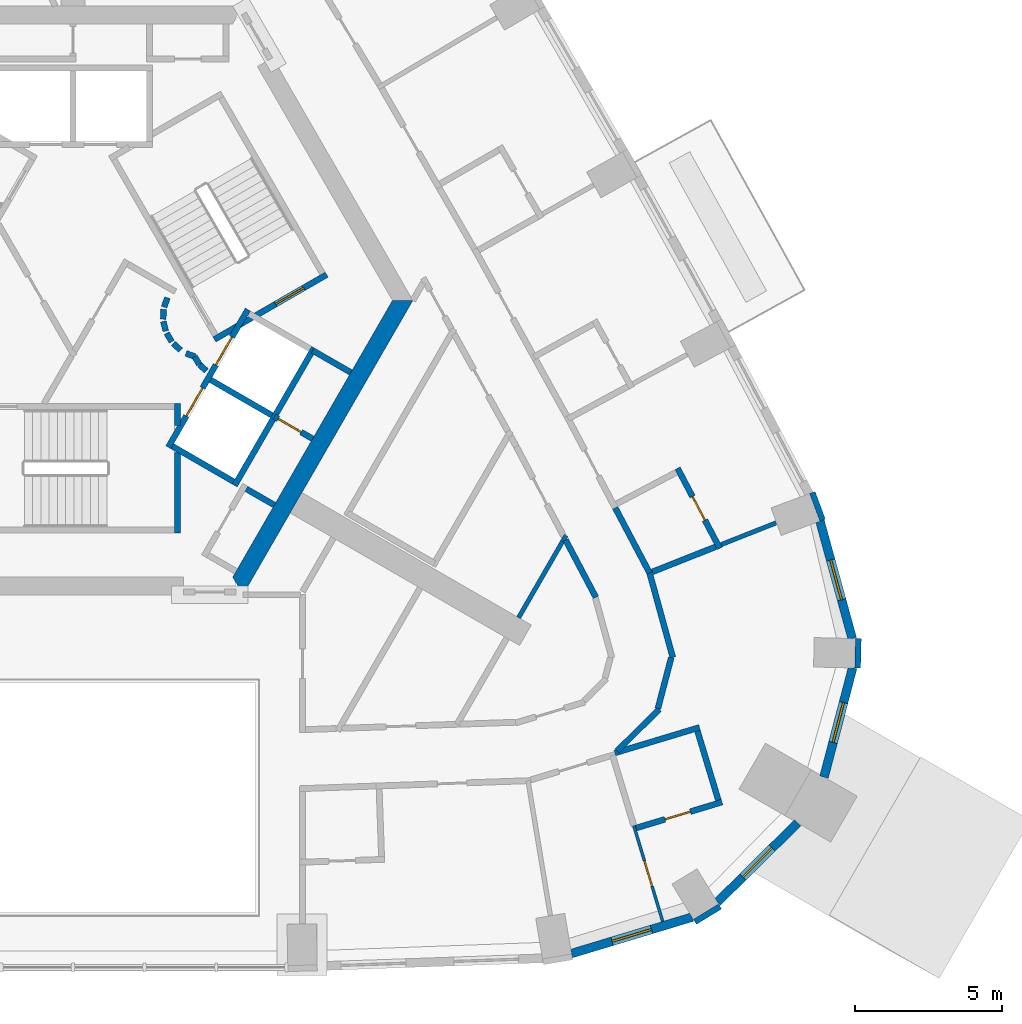
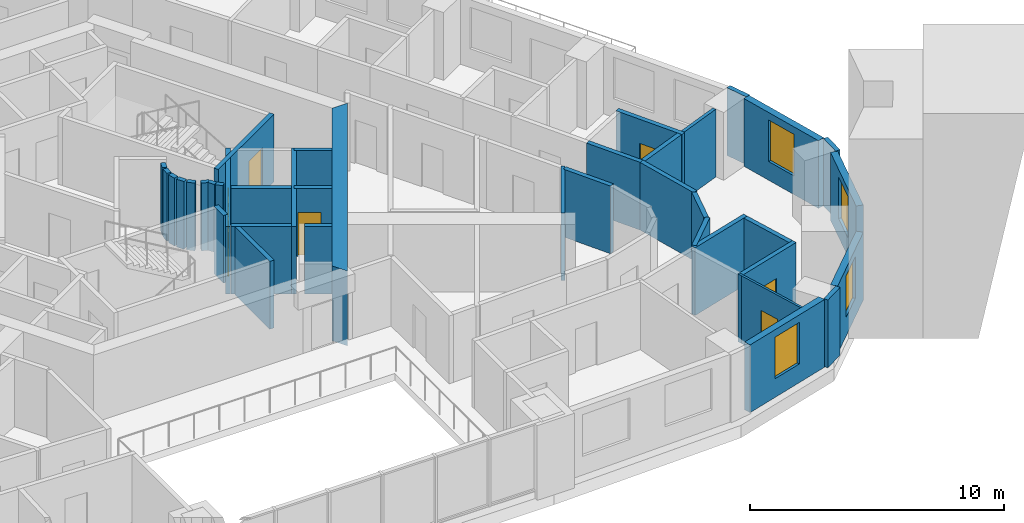
# One storey, part 7 of 14: 39 walls, 7 doors, 4 windows, 11 openings.
"""IFC4 building model written with IfcOpenShell, lengths in metres."""

import ifcopenshell
import ifcopenshell.guid

model = None  # the IFC model being written
_history = None  # IfcOwnerHistory: only IFC2X3 demands one
_inside = {}  # id of a spatial element -> (the spatial element, [elements in it])
_under = {}  # id of a project, library or spatial element -> (it, [spatial elements below it])
_declared = {}  # id of a project -> (the project, [libraries it declares])
_typed = {}  # id of a type object -> (the type object, [elements of that type])
_made_of = {}  # id of a material, layer set ... -> (it, [elements and type objects made of it])


def new_model(schema):
    """Start an empty IFC model of exactly this schema.

    Asked for "IFC4X3", IfcOpenShell would pick the latest addendum, in which some entities
    have other attributes; the version numbers below select the first issue.
    IFC2X3 requires an IfcOwnerHistory on every rooted entity: one is made here for all.
    """
    global model, _history
    if schema == "IFC4X3":
        model = ifcopenshell.file(schema_version=(4, 3, 0, 0))
    else:
        model = ifcopenshell.file(schema=schema)
    _inside.clear()
    _under.clear()
    _declared.clear()
    _typed.clear()
    _made_of.clear()
    _history = None
    if model.schema == "IFC2X3":
        org = make("IfcOrganization", Name="unknown")
        user = make(
            "IfcPersonAndOrganization",
            ThePerson=make("IfcPerson", FamilyName="unknown"),
            TheOrganization=org,
        )
        app = make(
            "IfcApplication",
            ApplicationDeveloper=org,
            Version="unknown",
            ApplicationFullName="unknown",
            ApplicationIdentifier="unknown",
        )
        _history = make(
            "IfcOwnerHistory",
            OwningUser=user,
            OwningApplication=app,
            ChangeAction="ADDED",
            CreationDate=0,
        )
    return model


def make(cls, **values):
    """One entity of the class cls with the attributes given. An attribute that is None is left unset."""
    return model.create_entity(
        cls, **{name: value for name, value in values.items() if value is not None}
    )


def rooted(cls, **values):
    """An entity with a GlobalId (a new one), such as an element, a storey or a relation."""
    return make(cls, GlobalId=ifcopenshell.guid.new(), OwnerHistory=_history, **values)


def si_unit(unit_type, name, prefix=None):
    """IfcSIUnit, for example si_unit("LENGTHUNIT", "METRE", prefix="MILLI")."""
    return make("IfcSIUnit", UnitType=unit_type, Prefix=prefix, Name=name)


def assignment(units):
    """IfcUnitAssignment: the units of a project."""
    return None if units is None else make("IfcUnitAssignment", Units=units)


def point(xyz):
    """IfcCartesianPoint."""
    return None if xyz is None else make("IfcCartesianPoint", Coordinates=xyz)


def direction(xyz):
    """IfcDirection."""
    return None if xyz is None else make("IfcDirection", DirectionRatios=xyz)


def frame(location, z_axis=None, x_axis=None):
    """IfcAxis2Placement3D, a coordinate frame: its origin and axes. An axis left out is left unset."""
    return make(
        "IfcAxis2Placement3D",
        Location=point(location),
        Axis=direction(z_axis),
        RefDirection=direction(x_axis),
    )


def frame_2d(location, x_axis=None):
    """IfcAxis2Placement2D, a coordinate frame in the plane: its origin and x axis."""
    return make(
        "IfcAxis2Placement2D", Location=point(location), RefDirection=direction(x_axis)
    )


def origin():
    """The frame at (0, 0, 0) with its axes left unset."""
    return frame((0.0, 0.0, 0.0))


def place(relative_to, where):
    """IfcLocalPlacement: puts the frame where relative to a parent placement (None: the world)."""
    return make(
        "IfcLocalPlacement", PlacementRelTo=relative_to, RelativePlacement=where
    )


def context(
    kind, dimensions, precision=None, world=None, true_north=None, identifier=None
):
    """IfcGeometricRepresentationContext, for example the 3D "Model" context."""
    return make(
        "IfcGeometricRepresentationContext",
        ContextIdentifier=identifier,
        ContextType=kind,
        CoordinateSpaceDimension=dimensions,
        Precision=precision,
        WorldCoordinateSystem=world,
        TrueNorth=true_north,
    )


def subcontext(parent, identifier, kind, view, scale=None):
    """IfcGeometricRepresentationSubContext, for example "Body" below "Model"."""
    return make(
        "IfcGeometricRepresentationSubContext",
        ContextIdentifier=identifier,
        ContextType=kind,
        ParentContext=parent,
        TargetScale=scale,
        TargetView=view,
    )


def project(units=None, contexts=None):
    """IfcProject with its units and contexts."""
    return rooted(
        "IfcProject",
        Name="project",
        RepresentationContexts=contexts,
        UnitsInContext=assignment(units),
    )


def spatial(cls, under=None, at=None, **own):
    """A site, building, storey or space (cls), placed at a placement, below another one or the project."""
    s = rooted(cls, ObjectPlacement=at, **own)
    if under is not None:
        _under.setdefault(under.id(), (under, []))[1].append(s)
    return s


def polyline(points):
    """IfcPolyline through the points."""
    return make("IfcPolyline", Points=[point(p) for p in points])


def profile(cls, at=None, kind="AREA", **sizes):
    """A parametric profile (cls). Its sizes go by their IFC names, for example OverallWidth=200.0."""
    return make(cls, ProfileType=kind, Position=at, **sizes)


def rectangle(**sizes):
    """IfcRectangleProfileDef."""
    return profile("IfcRectangleProfileDef", **sizes)


def outline(outer, holes=None, kind="AREA"):
    """IfcArbitraryClosedProfileDef: a profile drawn as a closed curve; with holes, ...WithVoids."""
    if holes is None:
        return make("IfcArbitraryClosedProfileDef", ProfileType=kind, OuterCurve=outer)
    return make(
        "IfcArbitraryProfileDefWithVoids",
        ProfileType=kind,
        OuterCurve=outer,
        InnerCurves=holes,
    )


def extrude(swept, where, along, depth):
    """IfcExtrudedAreaSolid: the profile swept, set in the frame where, extruded along a direction by depth."""
    return make(
        "IfcExtrudedAreaSolid",
        SweptArea=swept,
        Position=where,
        ExtrudedDirection=direction(along),
        Depth=depth,
    )


def shape(context_of_items, identifier, shape_type, items):
    """IfcShapeRepresentation: the items that make up one representation, for example the "Body"."""
    return make(
        "IfcShapeRepresentation",
        ContextOfItems=context_of_items,
        RepresentationIdentifier=identifier,
        RepresentationType=shape_type,
        Items=items,
    )


def material(Name=None, Category=None):
    """IfcMaterial."""
    return make("IfcMaterial", Name=Name, Category=Category)


def layer(
    of_material, thickness, ventilated=None, Name=None, Category=None, Priority=None
):
    """IfcMaterialLayer: one layer of a wall or slab, of a material (None: an air gap)."""
    return make(
        "IfcMaterialLayer",
        Material=of_material,
        LayerThickness=thickness,
        IsVentilated=ventilated,
        Name=Name,
        Category=Category,
        Priority=Priority,
    )


def layer_set(layers, Name=None):
    """IfcMaterialLayerSet."""
    return make("IfcMaterialLayerSet", MaterialLayers=layers, LayerSetName=Name)


def made_of(thing, what):
    """Note that an element or type object is made of a material, layer set ...; save() writes the relation."""
    if what is not None:
        _made_of.setdefault(what.id(), (what, []))[1].append(thing)
    return thing


def type_object(cls, material=None, **own):
    """A type object (cls), such as IfcWallType, which elements share."""
    return made_of(rooted(cls, **own), material)


def element(
    cls,
    number,
    at=None,
    inside=None,
    cuts=None,
    type_object=None,
    material=None,
    context=None,
    identifier="Body",
    shape_type=None,
    held_by="IfcProductDefinitionShape",
    body=None,
    shapes=None,
    **own,
):
    """One element of the class cls, such as IfcWall. Its Tag is "e" and its number.

    at: its placement. inside: the storey or other place that contains it. cuts: it is an
    opening in that element (IfcRelVoidsElement). A single representation is given by context,
    identifier, shape_type and body (its items); several are given by shapes. held_by: the class
    of the entity that holds the representations. save() writes the other relations.
    """
    e = rooted(cls, Tag="e%d" % number, ObjectPlacement=at, **own)
    if body is not None:
        shapes = [shape(context, identifier, shape_type, body)]
    if shapes is not None:
        e.Representation = make(held_by, Representations=shapes)
    if inside is not None:
        _inside.setdefault(inside.id(), (inside, []))[1].append(e)
    if cuts is not None:
        rooted(
            "IfcRelVoidsElement", RelatingBuildingElement=cuts, RelatedOpeningElement=e
        )
    if type_object is not None:
        _typed.setdefault(type_object.id(), (type_object, []))[1].append(e)
    return made_of(e, material)


def fill(opening, filler):
    """IfcRelFillsElement: the door or window that sits in an opening."""
    return rooted(
        "IfcRelFillsElement",
        RelatingOpeningElement=opening,
        RelatedBuildingElement=filler,
    )


def aggregate(whole, parts):
    """IfcRelAggregates: a whole, such as a stair, and the parts it consists of."""
    return rooted("IfcRelAggregates", RelatingObject=whole, RelatedObjects=parts)


def save(model, path):
    """Write the relations noted so far, then the file.

    IfcRelAggregates (storeys below a building ...), IfcRelContainedInSpatialStructure (elements
    in a storey), IfcRelDefinesByType, IfcRelAssociatesMaterial and IfcRelDeclares: one each for
    every whole, place, type object, material and project.
    """
    for whole, parts in _under.values():
        aggregate(whole, parts)
    for where, things in _inside.values():
        rooted(
            "IfcRelContainedInSpatialStructure",
            RelatedElements=things,
            RelatingStructure=where,
        )
    for kind, things in _typed.values():
        rooted("IfcRelDefinesByType", RelatedObjects=things, RelatingType=kind)
    for what, things in _made_of.values():
        rooted("IfcRelAssociatesMaterial", RelatedObjects=things, RelatingMaterial=what)
    for by, libraries in _declared.values():
        rooted("IfcRelDeclares", RelatingContext=by, RelatedDefinitions=libraries)
    model.write(path)


model = new_model("IFC4")

# Units and contexts
model_context = context("Model", 3, precision=1e-05, world=origin(), true_north=direction((0.0, 1.0)))
body_context = subcontext(model_context, "Body", "Model", "MODEL_VIEW")
ifc_project = project(units=[si_unit("LENGTHUNIT", "METRE"), si_unit("AREAUNIT", "SQUARE_METRE"), si_unit("VOLUMEUNIT", "CUBIC_METRE"), si_unit("PLANEANGLEUNIT", "RADIAN"), si_unit("MASSUNIT", "GRAM", prefix="KILO")], contexts=[model_context])

# Site, building, storey
site_placement = place(None, origin())
site = spatial("IfcSite", under=ifc_project, at=site_placement, CompositionType="ELEMENT")
building_placement = place(site_placement, origin())
building = spatial("IfcBuilding", under=site, at=building_placement, Name="Entoto Arch Interchange Tower", CompositionType="ELEMENT")
storey_placement = place(building_placement, frame((0.0, 0.0, 252.199951171875)))
storey = spatial("IfcBuildingStorey", under=building, at=storey_placement, Name="L57", CompositionType="ELEMENT", Elevation=252.199951171875)

# Wall
ifc_material_1 = material(Name="Concrete C40/50", Category="concrete")
ifc_layer_1 = layer(ifc_material_1, 0.60009765625)
ifc_layer_set_1 = layer_set([ifc_layer_1], Name="Concrete C40/50")
wall_type_1 = type_object("IfcWallType", Name="Core wall 600 C40/50", PredefinedType="SHEAR", material=ifc_layer_set_1)
wall_1_placement = place(storey_placement, frame((0.0, 0.0, -0.33984375)))
element("IfcWall", 1, at=wall_1_placement, inside=storey, type_object=wall_type_1, Name="Core wall SE L57", PredefinedType="SHEAR", context=body_context, shape_type="SweptSolid", body=[
    extrude(outline(polyline([(5.77392578125, -7.5), (11.547119140625, 2.5), (10.85400390625, 2.5), (5.427001953125, -6.89990234375), (5.77392578125, -7.5)])), origin(), (0.0, 0.0, 1.0), 3.599853515625),
])

# Wall, openings, doors
ifc_layer_2 = layer(ifc_material_1, 0.199951171875)
ifc_layer_set_2 = layer_set([ifc_layer_2], Name="Concrete C40/50")
wall_type_2 = type_object("IfcWallType", Name="LIFT SHAFT WALL 200", PredefinedType="STANDARD", material=ifc_layer_set_2)
wall_2_placement = place(storey_placement, frame((3.239990234375, -2.488037109375, 0.0), z_axis=(0.0, 0.0, 1.0), x_axis=(0.500034260056, 0.866005622828, 0.0)))
wall_2 = element("IfcWall", 2, at=wall_2_placement, inside=storey, type_object=wall_type_2, Name="Shaft wall SE1 front", PredefinedType="STANDARD", context=body_context, shape_type="SweptSolid", body=[
    extrude(rectangle(XDim=5.3994140625, YDim=0.199951171875, at=frame_2d((2.69970703125, 0.0))), origin(), (0.0, 0.0, 1.0), 3.260009765625),
])
opening_1_placement = place(wall_2_placement, frame((3.22509765625, 0.0, 0.0)))
opening_1 = element("IfcOpeningElement", 3, at=opening_1_placement, cuts=wall_2, Name="Opening LD-HR3-L57", PredefinedType="OPENING", context=body_context, shape_type="SweptSolid", body=[
    extrude(rectangle(XDim=1.10009765625, YDim=2.10009765625, at=frame_2d((0.550048828125, 1.050048828125))), frame((0.0, 0.10986328125, 0.0), z_axis=(0.0, -1.0, 0.0), x_axis=(1.0, 0.0, 0.0)), (0.0, 0.0, 1.0), 0.219970703125),
])
opening_2_placement = place(wall_2_placement, frame((1.22509765625, 0.0, 0.0)))
opening_2 = element("IfcOpeningElement", 4, at=opening_2_placement, cuts=wall_2, Name="Opening LD-FF1-L57", PredefinedType="OPENING", context=body_context, shape_type="SweptSolid", body=[
    extrude(rectangle(XDim=1.10009765625, YDim=2.10009765625, at=frame_2d((0.550048828125, 1.050048828125))), frame((0.0, 0.10986328125, 0.0), z_axis=(0.0, -1.0, 0.0), x_axis=(1.0, 0.0, 0.0)), (0.0, 0.0, 1.0), 0.219970703125),
])
ifc_material_2 = material(Name="Stainless steel 1.4301 panels", Category="steel")
door_type_1 = type_object("IfcDoorType", Name="LIFT LANDING DOOR LD1 1100x2100", OperationType="SLIDING_TO_LEFT", PredefinedType="DOOR", material=ifc_material_2)
door_1_placement = place(opening_1_placement, origin())
door_1 = element("IfcDoor", 5, at=door_1_placement, inside=storey, type_object=door_type_1, Name="Lift landing door HR3 L57", OperationType="SLIDING_TO_LEFT", OverallHeight=2.10009765625, OverallWidth=1.10009765625, PredefinedType="DOOR", context=body_context, shape_type="SweptSolid", body=[
    extrude(rectangle(XDim=1.10009765625, YDim=2.10009765625, at=frame_2d((0.550048828125, 1.050048828125))), frame((0.0, 0.02490234375, 0.0), z_axis=(0.0, -1.0, 0.0), x_axis=(1.0, 0.0, 0.0)), (0.0, 0.0, 1.0), 0.050048828125),
])
fill(opening_1, door_1)
door_2_placement = place(opening_2_placement, origin())
door_2 = element("IfcDoor", 6, at=door_2_placement, inside=storey, type_object=door_type_1, Name="Lift landing door FF1 L57", OperationType="SLIDING_TO_LEFT", OverallHeight=2.10009765625, OverallWidth=1.10009765625, PredefinedType="DOOR", context=body_context, shape_type="SweptSolid", body=[
    extrude(rectangle(XDim=1.10009765625, YDim=2.10009765625, at=frame_2d((0.550048828125, 1.050048828125))), frame((0.0, 0.02490234375, 0.0), z_axis=(0.0, -1.0, 0.0), x_axis=(1.0, 0.0, 0.0)), (0.0, 0.0, 1.0), 0.050048828125),
])
fill(opening_2, door_2)

# Walls
wall_3_placement = place(storey_placement, frame((5.491943359375, -3.7880859375, 0.0), z_axis=(0.0, 0.0, 1.0), x_axis=(0.500034260056, 0.866005622828, 0.0)))
element("IfcWall", 7, at=wall_3_placement, inside=storey, type_object=wall_type_2, Name="Shaft wall SE1 back", PredefinedType="STANDARD", context=body_context, shape_type="SweptSolid", body=[
    extrude(rectangle(XDim=5.3994140625, YDim=0.199951171875, at=frame_2d((2.69970703125, 0.0))), origin(), (0.0, 0.0, 1.0), 3.260009765625),
])
wall_4_placement = place(storey_placement, frame((3.376953125, -2.451904296875, 0.0), z_axis=(0.0, 0.0, 1.0), x_axis=(0.865955154139, -0.50012165622, 0.0)))
element("IfcWall", 8, at=wall_4_placement, inside=storey, type_object=wall_type_2, Name="Shaft wall SE1 cross 1", PredefinedType="STANDARD", context=body_context, shape_type="SweptSolid", body=[
    extrude(rectangle(XDim=2.39990234375, YDim=0.199951171875, at=frame_2d((1.199951171875, 0.0))), origin(), (0.0, 0.0, 1.0), 3.260009765625),
])
wall_5_placement = place(storey_placement, frame((4.677001953125, -0.199951171875, 0.0), z_axis=(0.0, 0.0, 1.0), x_axis=(0.865973769406, -0.500089422704, 0.0)))
element("IfcWall", 9, at=wall_5_placement, inside=storey, type_object=wall_type_2, Name="Shaft wall SE1 cross 2", PredefinedType="STANDARD", context=body_context, shape_type="SweptSolid", body=[
    extrude(rectangle(XDim=2.3994140625, YDim=0.199951171875, at=frame_2d((1.19970703125, 0.0))), origin(), (0.0, 0.0, 1.0), 3.260009765625),
])

# Wall, opening, door
ifc_material_3 = material(Name="Gypsum board partition on steel studs", Category="steel")
ifc_layer_3 = layer(ifc_material_3, 0.10009765625)
ifc_layer_set_3 = layer_set([ifc_layer_3], Name="Gypsum board partition on steel studs")
wall_type_3 = type_object("IfcWallType", Name="PARTITION 100", PredefinedType="PARTITIONING", material=ifc_layer_set_3)
wall_6_placement = place(storey_placement, frame((19.053955078125, -15.343994140625, 0.0), z_axis=(0.0, 0.0, 1.0), x_axis=(0.288803435252, -0.957388414274, 0.0)))
wall_6 = element("IfcWall", 10, at=wall_6_placement, inside=storey, type_object=wall_type_3, Name="wall:L57:p125", PredefinedType="PARTITIONING", context=body_context, shape_type="SweptSolid", body=[
    extrude(rectangle(XDim=3.39990234375, YDim=0.10009765625, at=frame_2d((1.699951171875, 0.0))), origin(), (0.0, 0.0, 1.0), 3.260009765625),
])
opening_3_placement = place(wall_6_placement, frame((1.25, 0.0, 0.0)))
opening_3 = element("IfcOpeningElement", 11, at=opening_3_placement, cuts=wall_6, Name="Opening L57-D04", PredefinedType="OPENING", context=body_context, shape_type="SweptSolid", body=[
    extrude(rectangle(XDim=0.89990234375, YDim=2.10009765625, at=frame_2d((0.449951171875, 1.050048828125))), frame((0.0, 0.06005859375, 0.0), z_axis=(0.0, -1.0, 0.0), x_axis=(1.0, 0.0, 0.0)), (0.0, 0.0, 1.0), 0.1201171875),
])
ifc_material_4 = material(Name="Timber door leaf in Steel S235 frame", Category="steel")
door_type_2 = type_object("IfcDoorType", Name="DOOR DS-09 900x2100", OperationType="SINGLE_SWING_LEFT", PredefinedType="DOOR", material=ifc_material_4)
door_3_placement = place(opening_3_placement, origin())
door_3 = element("IfcDoor", 12, at=door_3_placement, inside=storey, type_object=door_type_2, Name="door:L57:04", OperationType="SINGLE_SWING_RIGHT", OverallHeight=2.10009765625, OverallWidth=0.89990234375, PredefinedType="DOOR", context=body_context, shape_type="SweptSolid", body=[
    extrude(rectangle(XDim=0.89990234375, YDim=2.10009765625, at=frame_2d((0.449951171875, 1.050048828125))), frame((0.0, 0.02490234375, 0.0), z_axis=(0.0, -1.0, 0.0), x_axis=(1.0, 0.0, 0.0)), (0.0, 0.0, 1.0), 0.050048828125),
])
fill(opening_3, door_3)

# Walls
ifc_layer_4 = layer(ifc_material_3, 0.14990234375)
ifc_layer_set_4 = layer_set([ifc_layer_4], Name="Gypsum board partition on steel studs")
wall_type_4 = type_object("IfcWallType", Name="PARTITION 150", PredefinedType="PARTITIONING", material=ifc_layer_set_4)
wall_7_placement = place(storey_placement, frame((16.751953125, -5.485107421875, 0.0), z_axis=(0.0, 0.0, 1.0), x_axis=(-0.499988848364, -0.866031842089, 0.0)))
element("IfcWall", 13, at=wall_7_placement, inside=storey, type_object=wall_type_4, Name="wall:L57:p117", PredefinedType="PARTITIONING", context=body_context, shape_type="SweptSolid", body=[
    extrude(rectangle(XDim=3.22607421875, YDim=0.14990234375, at=frame_2d((1.613037109375, 0.0))), origin(), (0.0, 0.0, 1.0), 3.260009765625),
])
wall_8_placement = place(storey_placement, frame((22.02001953125, -5.7958984375, 0.0), z_axis=(0.0, 0.0, 1.0), x_axis=(0.929915172208, 0.367774078066, 0.0)))
element("IfcWall", 14, at=wall_8_placement, inside=storey, type_object=wall_type_4, Name="wall:L57:p130", PredefinedType="PARTITIONING", context=body_context, shape_type="SweptSolid", body=[
    extrude(rectangle(XDim=2.00341796875, YDim=0.14990234375, at=frame_2d((1.001708984375, 0.0))), origin(), (0.0, 0.0, 1.0), 3.260009765625),
])
ifc_layer_5 = layer(ifc_material_3, 0.199951171875)
ifc_layer_set_5 = layer_set([ifc_layer_5], Name="Gypsum board partition on steel studs")
wall_type_5 = type_object("IfcWallType", Name="PARTITION 200", PredefinedType="PARTITIONING", material=ifc_layer_set_5)
wall_9_placement = place(storey_placement, frame((17.76611328125, -7.587890625, 0.0), z_axis=(0.0, 0.0, 1.0), x_axis=(-0.466727344864, 0.884401258228, 0.0)))
element("IfcWall", 15, at=wall_9_placement, inside=storey, type_object=wall_type_5, Name="wall:L57:p024", PredefinedType="PARTITIONING", context=body_context, shape_type="SweptSolid", body=[
    extrude(rectangle(XDim=2.204833984375, YDim=0.199951171875, at=frame_2d((1.1025390625, 0.0))), origin(), (0.0, 0.0, 1.0), 3.260009765625),
])
wall_10_placement = place(storey_placement, frame((19.56396484375, -6.662109375, 0.0), z_axis=(0.0, 0.0, 1.0), x_axis=(0.264876135597, -0.96428244451, 0.0)))
element("IfcWall", 16, at=wall_10_placement, inside=storey, type_object=wall_type_5, Name="wall:L57:p039", PredefinedType="PARTITIONING", context=body_context, shape_type="SweptSolid", body=[
    extrude(rectangle(XDim=3.07666015625, YDim=0.199951171875, at=frame_2d((1.538330078125, 0.0))), origin(), (0.0, 0.0, 1.0), 3.260009765625),
])
wall_11_placement = place(storey_placement, frame((20.326904296875, -9.62890625, 0.0), z_axis=(0.0, 0.0, 1.0), x_axis=(-0.253192482031, -0.967415922467, 0.0)))
element("IfcWall", 17, at=wall_11_placement, inside=storey, type_object=wall_type_5, Name="wall:L57:p040", PredefinedType="PARTITIONING", context=body_context, shape_type="SweptSolid", body=[
    extrude(rectangle(XDim=1.79248046875, YDim=0.199951171875, at=frame_2d((0.896240234375, 0.0))), origin(), (0.0, 0.0, 1.0), 3.260009765625),
])
wall_12_placement = place(storey_placement, frame((19.9189453125, -11.389892578125, 0.0), z_axis=(0.0, 0.0, 1.0), x_axis=(-0.71104667794, -0.70314480855, 0.0)))
element("IfcWall", 18, at=wall_12_placement, inside=storey, type_object=wall_type_5, Name="wall:L57:p041", PredefinedType="PARTITIONING", context=body_context, shape_type="SweptSolid", body=[
    extrude(rectangle(XDim=2.00830078125, YDim=0.199951171875, at=frame_2d((1.004150390625, 0.0))), origin(), (0.0, 0.0, 1.0), 3.260009765625),
])
wall_13_placement = place(storey_placement, frame((18.423095703125, -4.548095703125, 0.0), z_axis=(0.0, 0.0, 1.0), x_axis=(0.466792565793, -0.884366835946, 0.0)))
element("IfcWall", 19, at=wall_13_placement, inside=storey, type_object=wall_type_5, Name="wall:L57:p043", PredefinedType="PARTITIONING", context=body_context, shape_type="SweptSolid", body=[
    extrude(rectangle(XDim=2.5, YDim=0.199951171875, at=frame_2d((1.25, 0.0))), origin(), (0.0, 0.0, 1.0), 3.260009765625),
])
wall_14_placement = place(storey_placement, frame((5.887939453125, -3.902099609375, 0.0), z_axis=(0.0, 0.0, 1.0), x_axis=(0.86621513555, -0.499671230855, 0.0)))
element("IfcWall", 20, at=wall_14_placement, inside=storey, type_object=wall_type_5, Name="wall:L57:p080", PredefinedType="PARTITIONING", context=body_context, shape_type="SweptSolid", body=[
    extrude(rectangle(XDim=1.100341796875, YDim=0.199951171875, at=frame_2d((0.55029296875, 0.0))), origin(), (0.0, 0.0, 1.0), 3.260009765625),
])

# Wall, opening, door
wall_15_placement = place(storey_placement, frame((8.139892578125, -2.199951171875, 0.0), z_axis=(0.0, 0.0, 1.0), x_axis=(-0.865545166185, 0.500830874941, 0.0)))
wall_15 = element("IfcWall", 21, at=wall_15_placement, inside=storey, type_object=wall_type_5, Name="wall:L57:p081", PredefinedType="PARTITIONING", context=body_context, shape_type="SweptSolid", body=[
    extrude(rectangle(XDim=1.49951171875, YDim=0.199951171875, at=frame_2d((0.749755859375, 0.0))), origin(), (0.0, 0.0, 1.0), 3.260009765625),
])
opening_4_placement = place(wall_15_placement, frame((0.449951171875, 0.0, 0.0)))
opening_4 = element("IfcOpeningElement", 22, at=opening_4_placement, cuts=wall_15, Name="Opening L57-D51", PredefinedType="OPENING", context=body_context, shape_type="SweptSolid", body=[
    extrude(rectangle(XDim=0.89990234375, YDim=2.10009765625, at=frame_2d((0.449951171875, 1.050048828125))), frame((0.0, 0.10986328125, 0.0), z_axis=(0.0, -1.0, 0.0), x_axis=(1.0, 0.0, 0.0)), (0.0, 0.0, 1.0), 0.219970703125),
])
door_4_placement = place(opening_4_placement, origin())
door_4 = element("IfcDoor", 23, at=door_4_placement, inside=storey, type_object=door_type_2, Name="door:L57:51", OperationType="SINGLE_SWING_LEFT", OverallHeight=2.10009765625, OverallWidth=0.89990234375, PredefinedType="DOOR", context=body_context, shape_type="SweptSolid", body=[
    extrude(rectangle(XDim=0.89990234375, YDim=2.10009765625, at=frame_2d((0.449951171875, 1.050048828125))), frame((0.0, 0.02490234375, 0.0), z_axis=(0.0, -1.0, 0.0), x_axis=(1.0, 0.0, 0.0)), (0.0, 0.0, 1.0), 0.050048828125),
])
fill(opening_4, door_4)

# Walls
wall_16_placement = place(storey_placement, frame((8.14111328125, 0.801025390625, 0.0), z_axis=(0.0, 0.0, 1.0), x_axis=(0.866434738017, -0.499290341141, 0.0)))
element("IfcWall", 24, at=wall_16_placement, inside=storey, type_object=wall_type_5, Name="wall:L57:p082", PredefinedType="PARTITIONING", context=body_context, shape_type="SweptSolid", body=[
    extrude(rectangle(XDim=1.500244140625, YDim=0.199951171875, at=frame_2d((0.75, 0.0))), origin(), (0.0, 0.0, 1.0), 3.260009765625),
])
wall_17_placement = place(storey_placement, frame((3.2080078125, 2.592041015625, 0.0), z_axis=(0.0, 0.0, 1.0), x_axis=(-0.337388820924, -0.941365382578, 0.0)))
element("IfcWall", 25, at=wall_17_placement, inside=storey, type_object=wall_type_5, Name="wall:L57:p096", PredefinedType="PARTITIONING", context=body_context, shape_type="SweptSolid", body=[
    extrude(rectangle(XDim=0.337890625, YDim=0.199951171875, at=frame_2d((0.1689453125, 0.0))), origin(), (0.0, 0.0, 1.0), 3.260009765625),
])
wall_18_placement = place(storey_placement, frame((3.0791015625, 2.198974609375, 0.0), z_axis=(0.0, 0.0, 1.0), x_axis=(-0.047771483479, -0.998858290933, 0.0)))
element("IfcWall", 26, at=wall_18_placement, inside=storey, type_object=wall_type_5, Name="wall:L57:p097", PredefinedType="PARTITIONING", context=body_context, shape_type="SweptSolid", body=[
    extrude(rectangle(XDim=0.33740234375, YDim=0.199951171875, at=frame_2d((0.168701171875, 0.0))), origin(), (0.0, 0.0, 1.0), 3.260009765625),
])
wall_19_placement = place(storey_placement, frame((3.070068359375, 1.785888671875, 0.0), z_axis=(0.0, 0.0, 1.0), x_axis=(0.242705583207, -0.970099994784, 0.0)))
element("IfcWall", 27, at=wall_19_placement, inside=storey, type_object=wall_type_5, Name="wall:L57:p098", PredefinedType="PARTITIONING", context=body_context, shape_type="SweptSolid", body=[
    extrude(rectangle(XDim=0.337890625, YDim=0.199951171875, at=frame_2d((0.1689453125, 0.0))), origin(), (0.0, 0.0, 1.0), 3.260009765625),
])
for number, where, z_axis, x_axis, name in (
    (28, (3.181884765625, 1.387939453125, 0.0), (0.0, 0.0, 1.0), (0.512474702713, -0.85870232274, 0.0), "wall:L57:p099"),
    (29, (3.404052734375, 1.0390625, 0.0), (0.0, 0.0, 1.0), (0.740267097712, -0.672312891476, 0.0), "wall:L57:p100"),
):
    element("IfcWall", number, at=place(storey_placement, frame(where, z_axis=z_axis, x_axis=x_axis)), inside=storey, type_object=wall_type_5, Name=name, PredefinedType="PARTITIONING", context=body_context, shape_type="SweptSolid", body=[
        extrude(rectangle(XDim=0.337646484375, YDim=0.199951171875, at=frame_2d((0.1689453125, 0.0))), origin(), (0.0, 0.0, 1.0), 3.260009765625),
    ])
wall_20_placement = place(storey_placement, frame((3.837890625, 0.701904296875, 0.0), z_axis=(0.0, 0.0, 1.0), x_axis=(0.941035081519, -0.338308993895, 0.0)))
element("IfcWall", 30, at=wall_20_placement, inside=storey, type_object=wall_type_5, Name="wall:L57:p101", PredefinedType="PARTITIONING", context=body_context, shape_type="SweptSolid", body=[
    extrude(rectangle(XDim=0.3369140625, YDim=0.199951171875, at=frame_2d((0.16845703125, 0.0))), origin(), (0.0, 0.0, 1.0), 3.260009765625),
])
wall_21_placement = place(storey_placement, frame((4.132080078125, 0.593017578125, 0.0), z_axis=(0.0, 0.0, 1.0), x_axis=(0.513561617048, -0.858052717201, 0.0)))
element("IfcWall", 31, at=wall_21_placement, inside=storey, type_object=wall_type_5, Name="wall:L57:p102", PredefinedType="PARTITIONING", context=body_context, shape_type="SweptSolid", body=[
    extrude(rectangle(XDim=0.3076171875, YDim=0.199951171875, at=frame_2d((0.15380859375, 0.0))), origin(), (0.0, 0.0, 1.0), 3.260009765625),
])
wall_22_placement = place(storey_placement, frame((4.301025390625, 0.31494140625, 0.0), z_axis=(0.0, 0.0, 1.0), x_axis=(0.741798017506, -0.670623367639, 0.0)))
element("IfcWall", 32, at=wall_22_placement, inside=storey, type_object=wall_type_5, Name="wall:L57:p103", PredefinedType="PARTITIONING", context=body_context, shape_type="SweptSolid", body=[
    extrude(rectangle(XDim=0.30859375, YDim=0.199951171875, at=frame_2d((0.154296875, 0.0))), origin(), (0.0, 0.0, 1.0), 3.260009765625),
])

# Wall, opening, door
wall_23_placement = place(storey_placement, frame((19.034912109375, -15.455078125, 0.0), z_axis=(0.0, 0.0, 1.0), x_axis=(0.957248369253, 0.28926728049, 0.0)))
wall_23 = element("IfcWall", 33, at=wall_23_placement, inside=storey, type_object=wall_type_5, Name="wall:L57:p127", PredefinedType="PARTITIONING", context=body_context, shape_type="SweptSolid", body=[
    extrude(rectangle(XDim=3.14990234375, YDim=0.199951171875, at=frame_2d((1.574951171875, 0.0))), origin(), (0.0, 0.0, 1.0), 3.260009765625),
])
opening_5_placement = place(wall_23_placement, frame((1.125, 0.0, 0.0)))
opening_5 = element("IfcOpeningElement", 34, at=opening_5_placement, cuts=wall_23, Name="Opening L57-D05", PredefinedType="OPENING", context=body_context, shape_type="SweptSolid", body=[
    extrude(rectangle(XDim=0.89990234375, YDim=2.10009765625, at=frame_2d((0.449951171875, 1.050048828125))), frame((0.0, 0.10986328125, 0.0), z_axis=(0.0, -1.0, 0.0), x_axis=(1.0, 0.0, 0.0)), (0.0, 0.0, 1.0), 0.219970703125),
])
door_5_placement = place(opening_5_placement, origin())
door_5 = element("IfcDoor", 35, at=door_5_placement, inside=storey, type_object=door_type_2, Name="door:L57:05", OperationType="SINGLE_SWING_LEFT", OverallHeight=2.10009765625, OverallWidth=0.89990234375, PredefinedType="DOOR", context=body_context, shape_type="SweptSolid", body=[
    extrude(rectangle(XDim=0.89990234375, YDim=2.10009765625, at=frame_2d((0.449951171875, 1.050048828125))), frame((0.0, 0.02490234375, 0.0), z_axis=(0.0, -1.0, 0.0), x_axis=(1.0, 0.0, 0.0)), (0.0, 0.0, 1.0), 0.050048828125),
])
fill(opening_5, door_5)

# Walls
wall_24_placement = place(storey_placement, frame((21.926025390625, -14.47802734375, 0.0), z_axis=(0.0, 0.0, 1.0), x_axis=(-0.288928787246, 0.957350591947, 0.0)))
element("IfcWall", 36, at=wall_24_placement, inside=storey, type_object=wall_type_5, Name="wall:L57:p128", PredefinedType="PARTITIONING", context=body_context, shape_type="SweptSolid", body=[
    extrude(rectangle(XDim=2.450439453125, YDim=0.199951171875, at=frame_2d((1.22509765625, 0.0))), origin(), (0.0, 0.0, 1.0), 3.260009765625),
])
wall_25_placement = place(storey_placement, frame((21.284912109375, -12.007080078125, 0.0), z_axis=(0.0, 0.0, 1.0), x_axis=(-0.957329834998, -0.288997555392, 0.0)))
element("IfcWall", 37, at=wall_25_placement, inside=storey, type_object=wall_type_5, Name="wall:L57:p129", PredefinedType="PARTITIONING", context=body_context, shape_type="SweptSolid", body=[
    extrude(rectangle(XDim=2.999755859375, YDim=0.199951171875, at=frame_2d((1.5, 0.0))), origin(), (0.0, 0.0, 1.0), 3.260009765625),
])
wall_26_placement = place(storey_placement, frame((19.68310546875, -6.721923828125, 0.0), z_axis=(0.0, 0.0, 1.0), x_axis=(0.929744903847, 0.368204309821, 0.0)))
element("IfcWall", 38, at=wall_26_placement, inside=storey, type_object=wall_type_5, Name="wall:L57:p131", PredefinedType="PARTITIONING", context=body_context, shape_type="SweptSolid", body=[
    extrude(rectangle(XDim=2.3134765625, YDim=0.199951171875, at=frame_2d((1.15673828125, 0.0))), origin(), (0.0, 0.0, 1.0), 3.260009765625),
])

# Wall, opening, door
wall_27_placement = place(storey_placement, frame((21.97412109375, -5.922119140625, 0.0), z_axis=(0.0, 0.0, 1.0), x_axis=(-0.466401249432, 0.88457327256, 0.0)))
wall_27 = element("IfcWall", 39, at=wall_27_placement, inside=storey, type_object=wall_type_5, Name="wall:L57:p132", PredefinedType="PARTITIONING", context=body_context, shape_type="SweptSolid", body=[
    extrude(rectangle(XDim=3.07275390625, YDim=0.199951171875, at=frame_2d((1.536376953125, 0.0))), origin(), (0.0, 0.0, 1.0), 3.260009765625),
])
opening_6_placement = place(wall_27_placement, frame((1.0859375, 0.0, 0.0)))
opening_6 = element("IfcOpeningElement", 40, at=opening_6_placement, cuts=wall_27, Name="Opening L57-D07", PredefinedType="OPENING", context=body_context, shape_type="SweptSolid", body=[
    extrude(rectangle(XDim=0.89990234375, YDim=2.10009765625, at=frame_2d((0.449951171875, 1.050048828125))), frame((0.0, 0.10986328125, 0.0), z_axis=(0.0, -1.0, 0.0), x_axis=(1.0, 0.0, 0.0)), (0.0, 0.0, 1.0), 0.219970703125),
])
door_6_placement = place(opening_6_placement, origin())
door_6 = element("IfcDoor", 41, at=door_6_placement, inside=storey, type_object=door_type_2, Name="door:L57:07", OperationType="SINGLE_SWING_RIGHT", OverallHeight=2.10009765625, OverallWidth=0.89990234375, PredefinedType="DOOR", context=body_context, shape_type="SweptSolid", body=[
    extrude(rectangle(XDim=0.89990234375, YDim=2.10009765625, at=frame_2d((0.449951171875, 1.050048828125))), frame((0.0, 0.02490234375, 0.0), z_axis=(0.0, -1.0, 0.0), x_axis=(1.0, 0.0, 0.0)), (0.0, 0.0, 1.0), 0.050048828125),
])
fill(opening_6, door_6)

# Walls
ifc_layer_6 = layer(ifc_material_1, 0.199951171875)
ifc_layer_set_6 = layer_set([ifc_layer_6], Name="Concrete C40/50")
wall_type_6 = type_object("IfcWallType", Name="STAIR ENCLOSURE WALL 200", PredefinedType="STANDARD", material=ifc_layer_set_6)
wall_28_placement = place(storey_placement, frame((3.550048828125, -2.6669921875, 0.0), z_axis=(0.0, 0.0, 1.0), x_axis=(0.0, -1.0, 0.0)))
element("IfcWall", 42, at=wall_28_placement, inside=storey, type_object=wall_type_6, Name="Stair wall ST-S far", PredefinedType="STANDARD", context=body_context, shape_type="SweptSolid", body=[
    extrude(rectangle(XDim=2.73291015625, YDim=0.199951171875, at=frame_2d((1.366455078125, 0.0))), origin(), (0.0, 0.0, 1.0), 3.260009765625),
])
wall_29_placement = place(storey_placement, frame((3.550048828125, -1.0, 0.0), z_axis=(0.0, 0.0, 1.0), x_axis=(0.0, -1.0, 0.0)))
element("IfcWall", 43, at=wall_29_placement, inside=storey, type_object=wall_type_6, Name="Stair wall ST-S far return", PredefinedType="STANDARD", context=body_context, shape_type="SweptSolid", body=[
    extrude(rectangle(XDim=0.7509765625, YDim=0.199951171875, at=frame_2d((0.37548828125, 0.0))), origin(), (0.0, 0.0, 1.0), 3.260009765625),
])

# Wall, opening, door
wall_30_placement = place(storey_placement, frame((4.805908203125, 1.176025390625, 0.0), z_axis=(0.0, 0.0, 1.0), x_axis=(0.866059941101, 0.499940174841, 0.0)))
wall_30 = element("IfcWall", 44, at=wall_30_placement, inside=storey, type_object=wall_type_6, Name="Stair wall ST-NE near", PredefinedType="STANDARD", context=body_context, shape_type="SweptSolid", body=[
    extrude(rectangle(XDim=4.400390625, YDim=0.199951171875, at=frame_2d((2.2001953125, 0.0))), origin(), (0.0, 0.0, 1.0), 3.260009765625),
])
opening_7_placement = place(wall_30_placement, frame((2.39990234375, 0.0, 0.0)))
opening_7 = element("IfcOpeningElement", 45, at=opening_7_placement, cuts=wall_30, Name="Opening SD-ST-NE-L57-E", PredefinedType="OPENING", context=body_context, shape_type="SweptSolid", body=[
    extrude(rectangle(XDim=1.10009765625, YDim=2.199951171875, at=frame_2d((0.550048828125, 1.10009765625))), frame((0.0, 0.10986328125, 0.0), z_axis=(0.0, -1.0, 0.0), x_axis=(1.0, 0.0, 0.0)), (0.0, 0.0, 1.0), 0.219970703125),
])
ifc_material_5 = material(Name="Steel S235", Category="steel")
door_type_3 = type_object("IfcDoorType", Name="STAIR DOOR SD1 1100x2200", OperationType="SINGLE_SWING_LEFT", PredefinedType="DOOR", material=ifc_material_5)
door_7_placement = place(opening_7_placement, origin())
door_7 = element("IfcDoor", 46, at=door_7_placement, inside=storey, type_object=door_type_3, Name="Stair door ST-NE L57 end", OperationType="SINGLE_SWING_LEFT", OverallHeight=2.199951171875, OverallWidth=1.10009765625, PredefinedType="DOOR", context=body_context, shape_type="SweptSolid", body=[
    extrude(rectangle(XDim=1.10009765625, YDim=2.199951171875, at=frame_2d((0.550048828125, 1.10009765625))), frame((0.0, 0.02490234375, 0.0), z_axis=(0.0, -1.0, 0.0), x_axis=(1.0, 0.0, 0.0)), (0.0, 0.0, 1.0), 0.050048828125),
])
fill(opening_7, door_7)

# Wall, opening, window
ifc_material_6 = material(Name="Welded tuff (ignimbrite) cladding, warm buff", Category="masonry")
ifc_layer_7 = layer(ifc_material_6, 0.300048828125)
ifc_layer_set_7 = layer_set([ifc_layer_7], Name="Welded tuff (ignimbrite) cladding, warm buff")
wall_type_7 = type_object("IfcWallType", Name="STONE INFILL WALL 300", PredefinedType="STANDARD", material=ifc_layer_set_7)
wall_31_placement = place(storey_placement, frame((16.93603515625, -19.69189453125, 0.0), z_axis=(0.0, 0.0, 1.0), x_axis=(0.957346168713, 0.288943442997, 0.0)))
wall_31 = element("IfcWall", 47, at=wall_31_placement, inside=storey, type_object=wall_type_7, Name="Facade wall SE-01 L57", PredefinedType="STANDARD", context=body_context, shape_type="SweptSolid", body=[
    extrude(rectangle(XDim=4.280517578125, YDim=0.300048828125, at=frame_2d((2.14013671875, 0.0))), origin(), (0.0, 0.0, 1.0), 3.260009765625),
])
opening_8_placement = place(wall_31_placement, frame((1.43994140625, 0.0, 0.89990234375)))
opening_8 = element("IfcOpeningElement", 48, at=opening_8_placement, cuts=wall_31, Name="Opening WH-B", PredefinedType="OPENING", context=body_context, shape_type="SweptSolid", body=[
    extrude(rectangle(XDim=1.39990234375, YDim=2.0, at=frame_2d((0.699951171875, 1.0))), frame((0.0, 0.16015625, 0.0), z_axis=(0.0, -1.0, 0.0), x_axis=(1.0, 0.0, 0.0)), (0.0, 0.0, 1.0), 0.320068359375),
])
ifc_material_7 = material(Name="Clear glass, low-e double glazed", Category="glass")
window_type = type_object("IfcWindowType", Name="WINDOW WH-B 1400x2000", PartitioningType="DOUBLE_PANEL_VERTICAL", PredefinedType="WINDOW", material=ifc_material_7)
window_1_placement = place(opening_8_placement, origin())
window_1 = element("IfcWindow", 49, at=window_1_placement, inside=storey, type_object=window_type, Name="Window WH-B SE-01 L57", OverallHeight=2.0, OverallWidth=1.39990234375, PartitioningType="SINGLE_PANEL", PredefinedType="WINDOW", context=body_context, shape_type="SweptSolid", body=[
    extrude(rectangle(XDim=1.39990234375, YDim=2.0, at=frame_2d((0.699951171875, 1.0))), frame((0.0, 0.030029296875, 0.0), z_axis=(0.0, -1.0, 0.0), x_axis=(1.0, 0.0, 0.0)), (0.0, 0.0, 1.0), 0.06005859375),
])
fill(opening_8, window_1)

wall_32_placement = place(storey_placement, frame((21.89306640625, -17.946044921875, 0.0), z_axis=(0.0, 0.0, 1.0), x_axis=(0.71110935557, 0.703081420904, 0.0)))
wall_32 = element("IfcWall", 50, at=wall_32_placement, inside=storey, type_object=wall_type_7, Name="Facade wall SE-02 L57", PredefinedType="STANDARD", context=body_context, shape_type="SweptSolid", body=[
    extrude(rectangle(XDim=3.831787109375, YDim=0.300048828125, at=frame_2d((1.916015625, 0.0))), origin(), (0.0, 0.0, 1.0), 3.260009765625),
])
opening_9_placement = place(wall_32_placement, frame((1.216064453125, 0.0, 0.89990234375)))
opening_9 = element("IfcOpeningElement", 51, at=opening_9_placement, cuts=wall_32, Name="Opening WH-B", PredefinedType="OPENING", context=body_context, shape_type="SweptSolid", body=[
    extrude(rectangle(XDim=1.39990234375, YDim=2.0, at=frame_2d((0.699951171875, 1.0))), frame((0.0, 0.16015625, 0.0), z_axis=(0.0, -1.0, 0.0), x_axis=(1.0, 0.0, 0.0)), (0.0, 0.0, 1.0), 0.320068359375),
])
window_2_placement = place(opening_9_placement, origin())
window_2 = element("IfcWindow", 52, at=window_2_placement, inside=storey, type_object=window_type, Name="Window WH-B SE-02 L57", OverallHeight=2.0, OverallWidth=1.39990234375, PartitioningType="SINGLE_PANEL", PredefinedType="WINDOW", context=body_context, shape_type="SweptSolid", body=[
    extrude(rectangle(XDim=1.39990234375, YDim=2.0, at=frame_2d((0.699951171875, 1.0))), frame((0.0, 0.030029296875, 0.0), z_axis=(0.0, -1.0, 0.0), x_axis=(1.0, 0.0, 0.0)), (0.0, 0.0, 1.0), 0.06005859375),
])
fill(opening_9, window_2)

wall_33_placement = place(storey_placement, frame((25.51708984375, -13.695068359375, 0.0), z_axis=(0.0, 0.0, 1.0), x_axis=(0.253248721632, 0.967401201669, 0.0)))
wall_33 = element("IfcWall", 53, at=wall_33_placement, inside=storey, type_object=wall_type_7, Name="Facade wall SE-03 L57", PredefinedType="STANDARD", context=body_context, shape_type="SweptSolid", body=[
    extrude(rectangle(XDim=3.833984375, YDim=0.300048828125, at=frame_2d((1.9169921875, 0.0))), origin(), (0.0, 0.0, 1.0), 3.260009765625),
])
opening_10_placement = place(wall_33_placement, frame((1.217041015625, 0.0, 0.89990234375)))
opening_10 = element("IfcOpeningElement", 54, at=opening_10_placement, cuts=wall_33, Name="Opening WH-B", PredefinedType="OPENING", context=body_context, shape_type="SweptSolid", body=[
    extrude(rectangle(XDim=1.39990234375, YDim=2.0, at=frame_2d((0.699951171875, 1.0))), frame((0.0, 0.16015625, 0.0), z_axis=(0.0, -1.0, 0.0), x_axis=(1.0, 0.0, 0.0)), (0.0, 0.0, 1.0), 0.320068359375),
])
window_3_placement = place(opening_10_placement, origin())
window_3 = element("IfcWindow", 55, at=window_3_placement, inside=storey, type_object=window_type, Name="Window WH-B SE-03 L57", OverallHeight=2.0, OverallWidth=1.39990234375, PartitioningType="SINGLE_PANEL", PredefinedType="WINDOW", context=body_context, shape_type="SweptSolid", body=[
    extrude(rectangle(XDim=1.39990234375, YDim=2.0, at=frame_2d((0.699951171875, 1.0))), frame((0.0, 0.030029296875, 0.0), z_axis=(0.0, -1.0, 0.0), x_axis=(1.0, 0.0, 0.0)), (0.0, 0.0, 1.0), 0.06005859375),
])
fill(opening_10, window_3)

wall_34_placement = place(storey_placement, frame((26.47705078125, -8.987060546875, 0.0), z_axis=(0.0, 0.0, 1.0), x_axis=(-0.264924661919, 0.964269113633, 0.0)))
wall_34 = element("IfcWall", 56, at=wall_34_placement, inside=storey, type_object=wall_type_7, Name="Facade wall SE-04 L57", PredefinedType="STANDARD", context=body_context, shape_type="SweptSolid", body=[
    extrude(rectangle(XDim=4.13671875, YDim=0.300048828125, at=frame_2d((2.068359375, 0.0))), origin(), (0.0, 0.0, 1.0), 3.260009765625),
])
opening_11_placement = place(wall_34_placement, frame((1.367919921875, 0.0, 0.89990234375)))
opening_11 = element("IfcOpeningElement", 57, at=opening_11_placement, cuts=wall_34, Name="Opening WH-B", PredefinedType="OPENING", context=body_context, shape_type="SweptSolid", body=[
    extrude(rectangle(XDim=1.39990234375, YDim=2.0, at=frame_2d((0.699951171875, 1.0))), frame((0.0, 0.16015625, 0.0), z_axis=(0.0, -1.0, 0.0), x_axis=(1.0, 0.0, 0.0)), (0.0, 0.0, 1.0), 0.320068359375),
])
window_4_placement = place(opening_11_placement, origin())
window_4 = element("IfcWindow", 58, at=window_4_placement, inside=storey, type_object=window_type, Name="Window WH-B SE-04 L57", OverallHeight=2.0, OverallWidth=1.39990234375, PartitioningType="SINGLE_PANEL", PredefinedType="WINDOW", context=body_context, shape_type="SweptSolid", body=[
    extrude(rectangle(XDim=1.39990234375, YDim=2.0, at=frame_2d((0.699951171875, 1.0))), frame((0.0, 0.030029296875, 0.0), z_axis=(0.0, -1.0, 0.0), x_axis=(1.0, 0.0, 0.0)), (0.0, 0.0, 1.0), 0.06005859375),
])
fill(opening_11, window_4)

# Walls
ifc_layer_8 = layer(ifc_material_6, 0.199951171875)
ifc_layer_set_8 = layer_set([ifc_layer_8], Name="Welded tuff (ignimbrite) cladding, warm buff")
wall_type_8 = type_object("IfcWallType", Name="STONE PIER CLADDING 200", PredefinedType="STANDARD", material=ifc_layer_set_8)
wall_35_placement = place(storey_placement, frame((25.468994140625, -4.967041015625, 0.0), z_axis=(0.0, 0.0, 1.0), x_axis=(-0.346892928577, 0.937904737222, 0.0)))
element("IfcWall", 59, at=wall_35_placement, inside=storey, type_object=wall_type_8, Name="Stone pier NE01 L57", PredefinedType="STANDARD", context=body_context, shape_type="SweptSolid", body=[
    extrude(rectangle(XDim=1.0, YDim=0.199951171875, at=frame_2d((0.5, 0.0))), origin(), (0.0, 0.0, 1.0), 3.260009765625),
])
wall_36_placement = place(storey_placement, frame((21.1298828125, -18.613037109375, 0.0), z_axis=(0.0, 0.0, 1.0), x_axis=(0.853679739553, 0.520798331677, 0.0)))
element("IfcWall", 60, at=wall_36_placement, inside=storey, type_object=wall_type_8, Name="Stone pier SE1 L57", PredefinedType="STANDARD", context=body_context, shape_type="SweptSolid", body=[
    extrude(rectangle(XDim=1.00048828125, YDim=0.199951171875, at=frame_2d((0.500244140625, 0.0))), origin(), (0.0, 0.0, 1.0), 3.260009765625),
])
wall_37_placement = place(storey_placement, frame((26.659912109375, -9.990966796875, 0.0), z_axis=(0.0, 0.0, 1.0), x_axis=(0.024186470916, 0.999707464524, 0.0)))
element("IfcWall", 61, at=wall_37_placement, inside=storey, type_object=wall_type_8, Name="Stone pier SE3 L57", PredefinedType="STANDARD", context=body_context, shape_type="SweptSolid", body=[
    extrude(rectangle(XDim=0.999267578125, YDim=0.199951171875, at=frame_2d((0.49951171875, 0.0))), origin(), (0.0, 0.0, 1.0), 3.260009765625),
])

save(model, "model.ifc")
